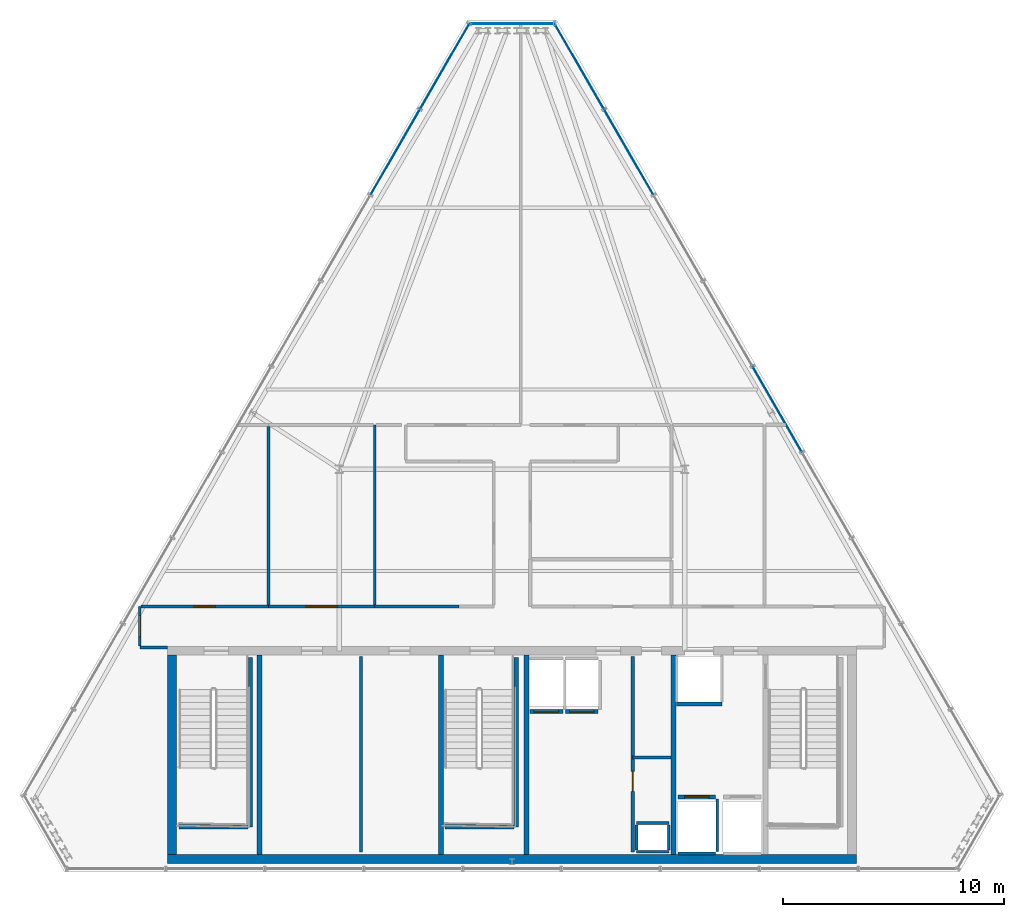
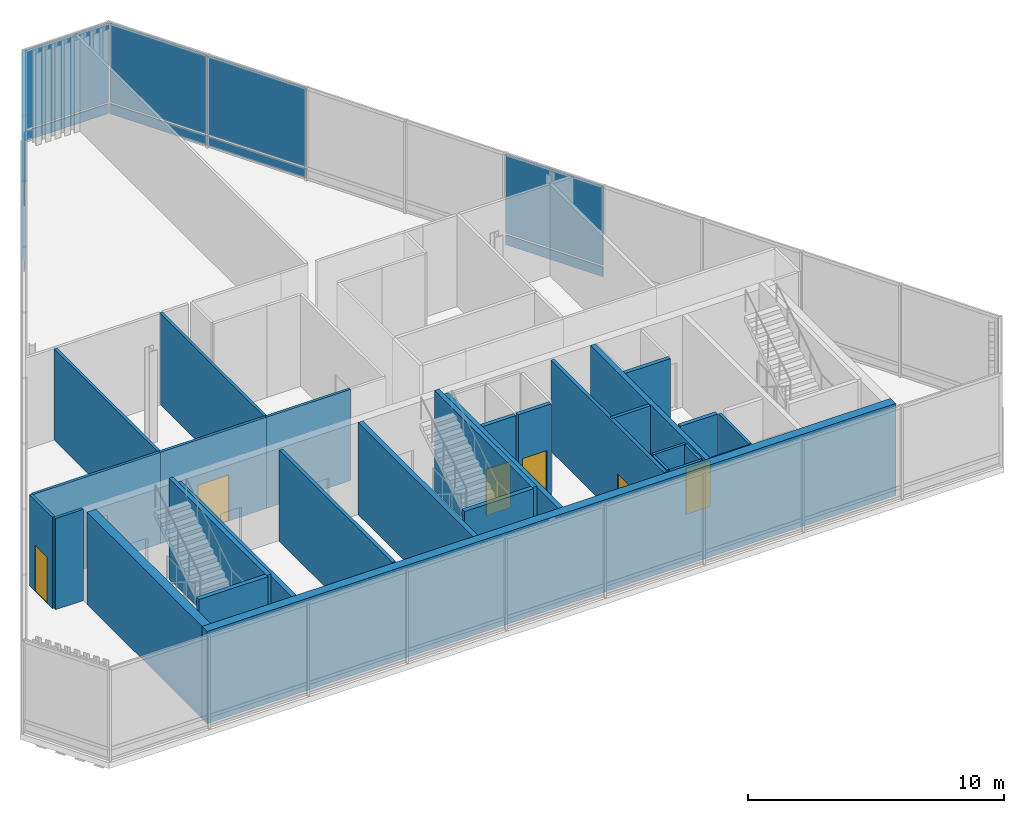
# One storey, part 20 of 25: 30 walls, 12 plates, 7 doors, 7 openings, 3 elements without a shape of their own.
"""IFC4 building model written with IfcOpenShell, lengths in metres."""

from ifc_helpers import new_model, si_unit, direction, frame, frame_2d, origin, origin_2d, place, context, subcontext, project, spatial, rectangle, extrude, material, layer, layer_set, type_object, element, fill, aggregate, save


model = new_model("IFC4")

# Units and contexts
model_context = context("Model", 3, precision=1e-05, world=origin(), true_north=direction((0.0, 1.0)))
body_context = subcontext(model_context, "Body", "Model", "MODEL_VIEW")
ifc_project = project(units=[si_unit("LENGTHUNIT", "METRE"), si_unit("AREAUNIT", "SQUARE_METRE"), si_unit("VOLUMEUNIT", "CUBIC_METRE"), si_unit("PLANEANGLEUNIT", "RADIAN"), si_unit("MASSUNIT", "GRAM", prefix="KILO")], contexts=[model_context])

# Site, building, storey
site_placement = place(None, origin())
site = spatial("IfcSite", under=ifc_project, at=site_placement, CompositionType="ELEMENT")
building_placement = place(site_placement, origin())
building = spatial("IfcBuilding", under=site, at=building_placement, Name="Ndaravel Arena Tower", CompositionType="ELEMENT")
storey_placement = place(building_placement, frame((0.0, 0.0, 303.300048828125)))
storey = spatial("IfcBuildingStorey", under=building, at=storey_placement, Name="L74", CompositionType="ELEMENT", Elevation=303.300048828125)

# Curtain wall, plates
ifc_material_1 = material(Name="Aluminium", Category="aluminium")
ifc_layer_1 = layer(ifc_material_1, 0.179931640625)
ifc_layer_set_1 = layer_set([ifc_layer_1], Name="Aluminium")
curtain_wall_type = type_object("IfcCurtainWallType", Name="CW-SYS-04", PredefinedType="NOTDEFINED", material=ifc_layer_set_1)
curtain_wall_1_placement = place(storey_placement, origin())
curtain_wall_1 = element("IfcCurtainWall", 1, at=curtain_wall_1_placement, inside=storey, type_object=curtain_wall_type, Name="L74 Faceted Crystal Curtain Wall CW-L74-E03", PredefinedType="NOTDEFINED")
ifc_material_2 = material(Name="Glazing", Category="glass")
ifc_layer_2 = layer(ifc_material_2, 0.0400390625)
ifc_layer_set_2 = layer_set([ifc_layer_2], Name="Glazing")
plate_type_1 = type_object("IfcPlateType", Name="PLT-GLZ-LOWIRON", PredefinedType="CURTAIN_PANEL", material=ifc_layer_set_2)
plate_1_placement = place(storey_placement, frame((53.977294921875, 25.9052734375, 0.58984375), z_axis=(0.0, 0.0, 1.0), x_axis=(-0.5, 0.866025403784, 0.0)))
plate_1 = element("IfcPlate", 2, at=plate_1_placement, type_object=plate_type_1, Name="CW-L74-E03 Vision Glass Panel 05", PredefinedType="CURTAIN_PANEL", context=body_context, shape_type="SweptSolid", body=[
    extrude(rectangle(XDim=4.389892578125, YDim=0.035888671875, at=origin_2d()), origin(), (0.0, 0.0, 1.0), 3.77001953125),
])
plate_2_placement = place(storey_placement, frame((47.272216796875, 37.518798828125, 0.58984375), z_axis=(0.0, 0.0, 1.0), x_axis=(-0.5, 0.866025403784, 0.0)))
plate_2 = element("IfcPlate", 3, at=plate_2_placement, type_object=plate_type_1, Name="CW-L74-E03 Vision Glass Panel 08", PredefinedType="CURTAIN_PANEL", context=body_context, shape_type="SweptSolid", body=[
    extrude(rectangle(XDim=4.389892578125, YDim=0.035888671875, at=origin_2d()), origin(), (0.0, 0.0, 1.0), 3.77001953125),
])
plate_3_placement = place(storey_placement, frame((45.037353515625, 41.389892578125, 0.58984375), z_axis=(0.0, 0.0, 1.0), x_axis=(-0.5, 0.866025403784, 0.0)))
plate_3 = element("IfcPlate", 4, at=plate_3_placement, type_object=plate_type_1, Name="CW-L74-E03 Vision Glass Panel 09", PredefinedType="CURTAIN_PANEL", context=body_context, shape_type="SweptSolid", body=[
    extrude(rectangle(XDim=4.389892578125, YDim=0.035888671875, at=origin_2d()), origin(), (0.0, 0.0, 1.0), 3.77001953125),
])

# Curtain wall, plate
curtain_wall_2_placement = place(storey_placement, origin())
curtain_wall_2 = element("IfcCurtainWall", 5, at=curtain_wall_2_placement, inside=storey, type_object=curtain_wall_type, Name="L74 Faceted Crystal Curtain Wall CW-L74-E04", PredefinedType="NOTDEFINED")
plate_4_placement = place(storey_placement, frame((42.0, 43.325439453125, 0.58984375), z_axis=(0.0, 0.0, 1.0), x_axis=(-1.0, 0.0, 0.0)))
plate_4 = element("IfcPlate", 6, at=plate_4_placement, type_object=plate_type_1, Name="CW-L74-E04 Vision Glass Panel 01", PredefinedType="CURTAIN_PANEL", context=body_context, shape_type="SweptSolid", body=[
    extrude(rectangle(XDim=3.759521484375, YDim=0.035888671875, at=origin_2d()), origin(), (0.0, 0.0, 1.0), 3.77001953125),
])

# Curtain wall, plates
curtain_wall_3_placement = place(storey_placement, origin())
curtain_wall_3 = element("IfcCurtainWall", 7, at=curtain_wall_3_placement, inside=storey, type_object=curtain_wall_type, Name="L74 Faceted Crystal Curtain Wall CW-L74-E05", PredefinedType="NOTDEFINED")
plate_5_placement = place(storey_placement, frame((38.962646484375, 41.389892578125, 0.58984375), z_axis=(0.0, 0.0, 1.0), x_axis=(-0.5, -0.866025403784, 0.0)))
plate_5 = element("IfcPlate", 8, at=plate_5_placement, type_object=plate_type_1, Name="CW-L74-E05 Vision Glass Panel 01", PredefinedType="CURTAIN_PANEL", context=body_context, shape_type="SweptSolid", body=[
    extrude(rectangle(XDim=4.389892578125, YDim=0.035888671875, at=origin_2d()), origin(), (0.0, 0.0, 1.0), 3.77001953125),
])
plate_6_placement = place(storey_placement, frame((36.727783203125, 37.518798828125, 0.58984375), z_axis=(0.0, 0.0, 1.0), x_axis=(-0.5, -0.866025403784, 0.0)))
plate_6 = element("IfcPlate", 9, at=plate_6_placement, type_object=plate_type_1, Name="CW-L74-E05 Vision Glass Panel 02", PredefinedType="CURTAIN_PANEL", context=body_context, shape_type="SweptSolid", body=[
    extrude(rectangle(XDim=4.389892578125, YDim=0.035888671875, at=origin_2d()), origin(), (0.0, 0.0, 1.0), 3.77001953125),
])

# Plate
ifc_material_3 = material(Name="Aluminium", Category="aluminium")
ifc_layer_3 = layer(ifc_material_3, 0.044921875)
ifc_layer_set_3 = layer_set([ifc_layer_3], Name="Aluminium")
plate_type_2 = type_object("IfcPlateType", Name="PLT-SPANDREL-ALU", PredefinedType="SHEET", material=ifc_layer_set_3)
plate_7_placement = place(storey_placement, frame((53.977294921875, 25.9052734375, 0.0400390625), z_axis=(0.0, 0.0, 1.0), x_axis=(-0.5, 0.866025403784, 0.0)))
plate_7 = element("IfcPlate", 10, at=plate_7_placement, type_object=plate_type_2, Name="CW-L74-E03 Spandrel Panel 05", PredefinedType="SHEET", context=body_context, shape_type="SweptSolid", body=[
    extrude(rectangle(XDim=4.389892578125, YDim=0.044921875, at=origin_2d()), origin(), (0.0, 0.0, 1.0), 0.469970703125),
])

plate_8_placement = place(storey_placement, frame((47.272216796875, 37.518798828125, 0.0400390625), z_axis=(0.0, 0.0, 1.0), x_axis=(-0.5, 0.866025403784, 0.0)))
plate_8 = element("IfcPlate", 11, at=plate_8_placement, type_object=plate_type_2, Name="CW-L74-E03 Spandrel Panel 08", PredefinedType="SHEET", context=body_context, shape_type="SweptSolid", body=[
    extrude(rectangle(XDim=4.389892578125, YDim=0.044921875, at=origin_2d()), origin(), (0.0, 0.0, 1.0), 0.469970703125),
])

plate_9_placement = place(storey_placement, frame((45.037353515625, 41.389892578125, 0.0400390625), z_axis=(0.0, 0.0, 1.0), x_axis=(-0.5, 0.866025403784, 0.0)))
plate_9 = element("IfcPlate", 12, at=plate_9_placement, type_object=plate_type_2, Name="CW-L74-E03 Spandrel Panel 09", PredefinedType="SHEET", context=body_context, shape_type="SweptSolid", body=[
    extrude(rectangle(XDim=4.389892578125, YDim=0.044921875, at=origin_2d()), origin(), (0.0, 0.0, 1.0), 0.469970703125),
])

aggregate(curtain_wall_1, [plate_7, plate_1, plate_8, plate_2, plate_9, plate_3])

plate_10_placement = place(storey_placement, frame((42.0, 43.325439453125, 0.0400390625), z_axis=(0.0, 0.0, 1.0), x_axis=(-1.0, 0.0, 0.0)))
plate_10 = element("IfcPlate", 13, at=plate_10_placement, type_object=plate_type_2, Name="CW-L74-E04 Spandrel Panel 01", PredefinedType="SHEET", context=body_context, shape_type="SweptSolid", body=[
    extrude(rectangle(XDim=3.759521484375, YDim=0.044921875, at=origin_2d()), origin(), (0.0, 0.0, 1.0), 0.469970703125),
])

aggregate(curtain_wall_2, [plate_10, plate_4])

plate_11_placement = place(storey_placement, frame((38.962646484375, 41.389892578125, 0.0400390625), z_axis=(0.0, 0.0, 1.0), x_axis=(-0.5, -0.866025403784, 0.0)))
plate_11 = element("IfcPlate", 14, at=plate_11_placement, type_object=plate_type_2, Name="CW-L74-E05 Spandrel Panel 01", PredefinedType="SHEET", context=body_context, shape_type="SweptSolid", body=[
    extrude(rectangle(XDim=4.389892578125, YDim=0.044921875, at=origin_2d()), origin(), (0.0, 0.0, 1.0), 0.469970703125),
])

plate_12_placement = place(storey_placement, frame((36.727783203125, 37.518798828125, 0.0400390625), z_axis=(0.0, 0.0, 1.0), x_axis=(-0.5, -0.866025403784, 0.0)))
plate_12 = element("IfcPlate", 15, at=plate_12_placement, type_object=plate_type_2, Name="CW-L74-E05 Spandrel Panel 02", PredefinedType="SHEET", context=body_context, shape_type="SweptSolid", body=[
    extrude(rectangle(XDim=4.389892578125, YDim=0.044921875, at=origin_2d()), origin(), (0.0, 0.0, 1.0), 0.469970703125),
])

aggregate(curtain_wall_3, [plate_11, plate_5, plate_12, plate_6])

# Wall, opening, door
ifc_material_4 = material(Name="Gypsum", Category="gypsum")
ifc_layer_4 = layer(ifc_material_4, 0.14990234375)
ifc_layer_set_4 = layer_set([ifc_layer_4], Name="Gypsum")
wall_type_1 = type_object("IfcWallType", Name="WALL-COMP-150", PredefinedType="PARTITIONING", material=ifc_layer_set_4)
wall_1_placement = place(storey_placement, frame((47.449951171875, 5.89990234375, 0.0), z_axis=(0.0, 0.0, 1.0), x_axis=(0.0, 1.0, 0.0)))
wall_1 = element("IfcWall", 16, at=wall_1_placement, inside=storey, type_object=wall_type_1, Name="L74 Core Riser Bay Partition", PredefinedType="PARTITIONING", context=body_context, shape_type="SweptSolid", body=[
    extrude(rectangle(XDim=8.85009765625, YDim=0.14990234375, at=frame_2d((4.425048828125, 0.0))), origin(), (0.0, 0.0, 1.0), 4.35986328125),
])
opening_1_placement = place(wall_1_placement, frame((2.75, 0.0, 0.0)))
opening_1 = element("IfcOpeningElement", 17, at=opening_1_placement, cuts=wall_1, Name="Opening RD-01", PredefinedType="OPENING", context=body_context, shape_type="SweptSolid", body=[
    extrude(rectangle(XDim=0.89990234375, YDim=2.10009765625, at=frame_2d((0.449951171875, 1.050048828125))), frame((0.0, 0.074951171875, 0.0), z_axis=(0.0, -1.0, 0.0), x_axis=(1.0, 0.0, 0.0)), (0.0, 0.0, 1.0), 0.14990234375),
])
ifc_material_5 = material(Name="Steel S355", Category="steel")
door_type_1 = type_object("IfcDoorType", Name="DT-08-RISER-900", OperationType="SINGLE_SWING_LEFT", PredefinedType="DOOR", material=ifc_material_5)
door_1_placement = place(opening_1_placement, origin())
door_1 = element("IfcDoor", 18, at=door_1_placement, inside=storey, type_object=door_type_1, Name="L74 Electrical Riser Door", OperationType="SINGLE_SWING_RIGHT", OverallHeight=2.10009765625, OverallWidth=0.89990234375, PredefinedType="DOOR", context=body_context, shape_type="SweptSolid", body=[
    extrude(rectangle(XDim=0.89990234375, YDim=2.10009765625, at=frame_2d((0.449951171875, 1.050048828125))), frame((0.0, 0.02490234375, 0.0), z_axis=(0.0, -1.0, 0.0), x_axis=(1.0, 0.0, 0.0)), (0.0, 0.0, 1.0), 0.050048828125),
])
fill(opening_1, door_1)

# Walls
wall_2_placement = place(storey_placement, frame((47.449951171875, 10.179931640625, 0.0), z_axis=(0.0, 0.0, 1.0), x_axis=(1.0, 0.0, 0.0)))
element("IfcWall", 19, at=wall_2_placement, inside=storey, type_object=wall_type_1, Name="L74 Core Riser Divider 1", PredefinedType="PARTITIONING", context=body_context, shape_type="SweptSolid", body=[
    extrude(rectangle(XDim=1.72998046875, YDim=0.14990234375, at=frame_2d((0.864990234375, 0.0))), origin(), (0.0, 0.0, 1.0), 4.35986328125),
])
wall_3_placement = place(storey_placement, frame((35.179931640625, 5.89990234375, 0.0), z_axis=(0.0, 0.0, 1.0), x_axis=(0.0, 1.0, 0.0)))
element("IfcWall", 20, at=wall_3_placement, inside=storey, type_object=wall_type_1, Name="L74 High-Zone Core Divider 1", PredefinedType="PARTITIONING", context=body_context, shape_type="SweptSolid", body=[
    extrude(rectangle(XDim=8.85009765625, YDim=0.14990234375, at=frame_2d((4.425048828125, 0.0))), origin(), (0.0, 0.0, 1.0), 4.35986328125),
])
ifc_material_6 = material(Name="Concrete C50/60", Category="concrete")
ifc_layer_5 = layer(ifc_material_6, 0.219970703125)
ifc_layer_set_5 = layer_set([ifc_layer_5], Name="Concrete C50/60")
wall_type_2 = type_object("IfcWallType", Name="WALL-CORE-220", PredefinedType="SOLIDWALL", material=ifc_layer_set_5)
for number, where, z_axis, x_axis, name in (
    (21, (30.60009765625, 5.800048828125, 0.0), (0.0, 0.0, 1.0), (0.0, 1.0, 0.0), "L74 Core Web Shear Wall 1"),
    (22, (38.800048828125, 5.800048828125, 0.0), (0.0, 0.0, 1.0), (0.0, 1.0, 0.0), "L74 Core Web Shear Wall 2"),
    (23, (42.64990234375, 5.800048828125, 0.0), (0.0, 0.0, 1.0), (0.0, 1.0, 0.0), "L74 Core Web Shear Wall 3"),
    (24, (49.300048828125, 5.800048828125, 0.0), (0.0, 0.0, 1.0), (0.0, 1.0, 0.0), "L74 Core Web Shear Wall 4"),
):
    element("IfcWall", number, at=place(storey_placement, frame(where, z_axis=z_axis, x_axis=x_axis)), inside=storey, type_object=wall_type_2, Name=name, PredefinedType="SOLIDWALL", context=body_context, shape_type="SweptSolid", body=[
        extrude(rectangle(XDim=9.0, YDim=0.219970703125, at=frame_2d((4.5, 0.0))), origin(), (0.0, 0.0, 1.0), 4.39990234375),
    ])
ifc_material_7 = material(Name="Concrete C50/60", Category="concrete")
ifc_layer_6 = layer(ifc_material_7, 0.39990234375)
ifc_layer_set_6 = layer_set([ifc_layer_6], Name="Concrete C50/60")
wall_type_3 = type_object("IfcWallType", Name="WALL-CORE-400", PredefinedType="SOLIDWALL", material=ifc_layer_set_6)
wall_4_placement = place(storey_placement, frame((26.449951171875, 5.60009765625, 0.0), z_axis=(0.0, 0.0, 1.0), x_axis=(1.0, 0.0, 0.0)))
element("IfcWall", 25, at=wall_4_placement, inside=storey, type_object=wall_type_3, Name="L74 Core South Shear Wall", PredefinedType="SOLIDWALL", context=body_context, shape_type="SweptSolid", body=[
    extrude(rectangle(XDim=31.10009765625, YDim=0.39990234375, at=frame_2d((15.550048828125, 0.0))), origin(), (0.0, 0.0, 1.0), 4.39990234375),
])
wall_5_placement = place(storey_placement, frame((26.64990234375, 5.800048828125, 0.0), z_axis=(0.0, 0.0, 1.0), x_axis=(0.0, 1.0, 0.0)))
element("IfcWall", 26, at=wall_5_placement, inside=storey, type_object=wall_type_3, Name="L74 Core West Shear Wall", PredefinedType="SOLIDWALL", context=body_context, shape_type="SweptSolid", body=[
    extrude(rectangle(XDim=9.0, YDim=0.39990234375, at=frame_2d((4.5, 0.0))), origin(), (0.0, 0.0, 1.0), 4.39990234375),
])
ifc_material_8 = material(Name="Gypsum", Category="gypsum")
ifc_layer_7 = layer(ifc_material_8, 0.125)
ifc_layer_set_7 = layer_set([ifc_layer_7], Name="Gypsum")
wall_type_4 = type_object("IfcWallType", Name="WALL-PART-125", PredefinedType="PARTITIONING", material=ifc_layer_set_7)
wall_6_placement = place(storey_placement, frame((26.449951171875, 15.14990234375, 0.0), z_axis=(0.0, 0.0, 1.0), x_axis=(-1.0, 0.0, 0.0)))
element("IfcWall", 27, at=wall_6_placement, inside=storey, type_object=wall_type_4, Name="L74 Interior Partition 003", PredefinedType="PARTITIONING", context=body_context, shape_type="SweptSolid", body=[
    extrude(rectangle(XDim=1.259033203125, YDim=0.125, at=frame_2d((0.62939453125, 0.0))), origin(), (0.0, 0.0, 1.0), 4.35986328125),
])

# Wall, opening, door
wall_7_placement = place(storey_placement, frame((25.19091796875, 15.215087890625, 0.0), z_axis=(0.0, 0.0, 1.0), x_axis=(0.0, 1.0, 0.0)))
wall_7 = element("IfcWall", 28, at=wall_7_placement, inside=storey, type_object=wall_type_4, Name="L74 Interior Partition 004", PredefinedType="PARTITIONING", context=body_context, shape_type="SweptSolid", body=[
    extrude(rectangle(XDim=1.784912109375, YDim=0.125, at=frame_2d((0.892578125, 0.0))), origin(), (0.0, 0.0, 1.0), 4.35986328125),
])
opening_2_placement = place(wall_7_placement, frame((0.41748046875, 0.0, 0.0)))
opening_2 = element("IfcOpeningElement", 29, at=opening_2_placement, cuts=wall_7, Name="Opening ID-01", PredefinedType="OPENING", context=body_context, shape_type="SweptSolid", body=[
    extrude(rectangle(XDim=0.949951171875, YDim=2.199951171875, at=frame_2d((0.47509765625, 1.10009765625))), frame((0.0, 0.0625, 0.0), z_axis=(0.0, -1.0, 0.0), x_axis=(1.0, 0.0, 0.0)), (0.0, 0.0, 1.0), 0.125),
])
ifc_material_9 = material(Name="Timber", Category="wood")
door_type_2 = type_object("IfcDoorType", Name="DT-03-OFFICE-950", OperationType="SINGLE_SWING_LEFT", PredefinedType="DOOR", material=ifc_material_9)
door_2_placement = place(opening_2_placement, origin())
door_2 = element("IfcDoor", 30, at=door_2_placement, inside=storey, type_object=door_type_2, Name="L74 Summit Panoramic Viewing Gallery Door", OperationType="SINGLE_SWING_LEFT", OverallHeight=2.199951171875, OverallWidth=0.949951171875, PredefinedType="DOOR", context=body_context, shape_type="SweptSolid", body=[
    extrude(rectangle(XDim=0.949951171875, YDim=2.199951171875, at=frame_2d((0.47509765625, 1.10009765625))), frame((0.0, 0.02490234375, 0.0), z_axis=(0.0, -1.0, 0.0), x_axis=(1.0, 0.0, 0.0)), (0.0, 0.0, 1.0), 0.050048828125),
])
fill(opening_2, door_2)

wall_8_placement = place(storey_placement, frame((25.256103515625, 17.0, 0.0), z_axis=(0.0, 0.0, 1.0), x_axis=(1.0, 0.0, 0.0)))
wall_8 = element("IfcWall", 31, at=wall_8_placement, inside=storey, type_object=wall_type_4, Name="L74 Interior Partition 005", PredefinedType="PARTITIONING", context=body_context, shape_type="SweptSolid", body=[
    extrude(rectangle(XDim=5.743896484375, YDim=0.125, at=frame_2d((2.8720703125, 0.0))), origin(), (0.0, 0.0, 1.0), 4.35986328125),
])
opening_3_placement = place(wall_8_placement, frame((2.39697265625, 0.0, 0.0)))
opening_3 = element("IfcOpeningElement", 32, at=opening_3_placement, cuts=wall_8, Name="Opening ID-01", PredefinedType="OPENING", context=body_context, shape_type="SweptSolid", body=[
    extrude(rectangle(XDim=0.949951171875, YDim=2.199951171875, at=frame_2d((0.47509765625, 1.10009765625))), frame((0.0, 0.0625, 0.0), z_axis=(0.0, -1.0, 0.0), x_axis=(1.0, 0.0, 0.0)), (0.0, 0.0, 1.0), 0.125),
])
door_3_placement = place(opening_3_placement, origin())
door_3 = element("IfcDoor", 33, at=door_3_placement, inside=storey, type_object=door_type_2, Name="L74 Summit Observation Concierge Salon Door", OperationType="SINGLE_SWING_LEFT", OverallHeight=2.199951171875, OverallWidth=0.949951171875, PredefinedType="DOOR", context=body_context, shape_type="SweptSolid", body=[
    extrude(rectangle(XDim=0.949951171875, YDim=2.199951171875, at=frame_2d((0.47509765625, 1.10009765625))), frame((0.0, 0.02490234375, 0.0), z_axis=(0.0, -1.0, 0.0), x_axis=(1.0, 0.0, 0.0)), (0.0, 0.0, 1.0), 0.050048828125),
])
fill(opening_3, door_3)

wall_9_placement = place(storey_placement, frame((31.0, 17.0, 0.0), z_axis=(0.0, 0.0, 1.0), x_axis=(1.0, 0.0, 0.0)))
wall_9 = element("IfcWall", 34, at=wall_9_placement, inside=storey, type_object=wall_type_4, Name="L74 Interior Partition 006", PredefinedType="PARTITIONING", context=body_context, shape_type="SweptSolid", body=[
    extrude(rectangle(XDim=4.800048828125, YDim=0.125, at=frame_2d((2.39990234375, 0.0))), origin(), (0.0, 0.0, 1.0), 4.35986328125),
])
opening_4_placement = place(wall_9_placement, frame((1.699951171875, 0.0, 0.0)))
opening_4 = element("IfcOpeningElement", 35, at=opening_4_placement, cuts=wall_9, Name="Opening ID-02", PredefinedType="OPENING", context=body_context, shape_type="SweptSolid", body=[
    extrude(rectangle(XDim=1.39990234375, YDim=2.199951171875, at=frame_2d((0.699951171875, 1.10009765625))), frame((0.0, 0.0625, 0.0), z_axis=(0.0, -1.0, 0.0), x_axis=(1.0, 0.0, 0.0)), (0.0, 0.0, 1.0), 0.125),
])
ifc_material_10 = material(Name="Timber", Category="wood")
door_type_3 = type_object("IfcDoorType", Name="DT-04-SUITE-1400", OperationType="DOUBLE_DOOR_SINGLE_SWING", PredefinedType="DOOR", material=ifc_material_10)
door_4_placement = place(opening_4_placement, origin())
door_4 = element("IfcDoor", 36, at=door_4_placement, inside=storey, type_object=door_type_3, Name="L74 High-Altitude Telescope Gallery 2 Door", OperationType="SINGLE_SWING_LEFT", OverallHeight=2.199951171875, OverallWidth=1.39990234375, PredefinedType="DOOR", context=body_context, shape_type="SweptSolid", body=[
    extrude(rectangle(XDim=1.39990234375, YDim=2.199951171875, at=frame_2d((0.699951171875, 1.10009765625))), frame((0.0, 0.02490234375, 0.0), z_axis=(0.0, -1.0, 0.0), x_axis=(1.0, 0.0, 0.0)), (0.0, 0.0, 1.0), 0.050048828125),
])
fill(opening_4, door_4)

# Walls
wall_10_placement = place(storey_placement, frame((35.800048828125, 17.0, 0.0), z_axis=(0.0, 0.0, 1.0), x_axis=(1.0, 0.0, 0.0)))
element("IfcWall", 37, at=wall_10_placement, inside=storey, type_object=wall_type_4, Name="L74 Interior Partition 007", PredefinedType="PARTITIONING", context=body_context, shape_type="SweptSolid", body=[
    extrude(rectangle(XDim=3.800048828125, YDim=0.125, at=frame_2d((1.89990234375, 0.0))), origin(), (0.0, 0.0, 1.0), 4.35986328125),
])
wall_11_placement = place(storey_placement, frame((31.0, 25.135009765625, 0.0), z_axis=(0.0, 0.0, 1.0), x_axis=(0.0, -1.0, 0.0)))
element("IfcWall", 38, at=wall_11_placement, inside=storey, type_object=wall_type_4, Name="L74 Interior Partition 030", PredefinedType="PARTITIONING", context=body_context, shape_type="SweptSolid", body=[
    extrude(rectangle(XDim=8.070068359375, YDim=0.125, at=frame_2d((4.03515625, 0.0))), origin(), (0.0, 0.0, 1.0), 4.35986328125),
])
wall_12_placement = place(storey_placement, frame((35.800048828125, 17.06494140625, 0.0), z_axis=(0.0, 0.0, 1.0), x_axis=(0.0, 1.0, 0.0)))
element("IfcWall", 39, at=wall_12_placement, inside=storey, type_object=wall_type_4, Name="L74 Interior Partition 031", PredefinedType="PARTITIONING", context=body_context, shape_type="SweptSolid", body=[
    extrude(rectangle(XDim=8.135009765625, YDim=0.125, at=frame_2d((4.0673828125, 0.0))), origin(), (0.0, 0.0, 1.0), 4.35986328125),
])
ifc_material_11 = material(Name="Concrete C40/50", Category="concrete")
ifc_layer_8 = layer(ifc_material_11, 0.1201171875)
ifc_layer_set_8 = layer_set([ifc_layer_8], Name="Concrete C40/50")
wall_type_5 = type_object("IfcWallType", Name="WALL-SHAFT-120", PredefinedType="SOLIDWALL", material=ifc_layer_set_8)
for number, where, z_axis, x_axis, name in (
    (40, (47.6201171875, 5.919921875, 0.0), (0.0, 0.0, 1.0), (1.0, 0.0, 0.0), "L74 MEP Riser Shaft S Wall"),
    (41, (47.6201171875, 7.219970703125, 0.0), (0.0, 0.0, 1.0), (1.0, 0.0, 0.0), "L74 MEP Riser Shaft N Wall"),
):
    element("IfcWall", number, at=place(storey_placement, frame(where, z_axis=z_axis, x_axis=x_axis)), inside=storey, type_object=wall_type_5, Name=name, PredefinedType="SOLIDWALL", context=body_context, shape_type="SweptSolid", body=[
        extrude(rectangle(XDim=1.4599609375, YDim=0.1201171875, at=frame_2d((0.72998046875, 0.0))), origin(), (0.0, 0.0, 1.0), 4.35986328125),
    ])
for number, where, z_axis, x_axis, name in (
    (42, (47.6201171875, 6.0, 0.0), (0.0, 0.0, 1.0), (0.0, 1.0, 0.0), "L74 MEP Riser Shaft W Wall"),
    (43, (49.080078125, 6.0, 0.0), (0.0, 0.0, 1.0), (0.0, 1.0, 0.0), "L74 MEP Riser Shaft E Wall"),
):
    element("IfcWall", number, at=place(storey_placement, frame(where, z_axis=z_axis, x_axis=x_axis)), inside=storey, type_object=wall_type_5, Name=name, PredefinedType="SOLIDWALL", context=body_context, shape_type="SweptSolid", body=[
        extrude(rectangle(XDim=1.139892578125, YDim=0.1201171875, at=frame_2d((0.56982421875, 0.0))), origin(), (0.0, 0.0, 1.0), 4.35986328125),
    ])
wall_13_placement = place(storey_placement, frame((49.5048828125, 5.840087890625, 0.0), z_axis=(0.0, 0.0, 1.0), x_axis=(1.0, 0.0, 0.0)))
element("IfcWall", 44, at=wall_13_placement, inside=storey, type_object=wall_type_5, Name="L74 FFL-1 Shaft Rear Wall", PredefinedType="SOLIDWALL", context=body_context, shape_type="SweptSolid", body=[
    extrude(rectangle(XDim=1.690185546875, YDim=0.1201171875, at=frame_2d((0.84521484375, 0.0))), origin(), (0.0, 0.0, 1.0), 4.35986328125),
])
wall_14_placement = place(storey_placement, frame((51.27490234375, 5.929931640625, 0.0), z_axis=(0.0, 0.0, 1.0), x_axis=(0.0, 1.0, 0.0)))
element("IfcWall", 45, at=wall_14_placement, inside=storey, type_object=wall_type_5, Name="L74 FFL-1 Shaft Side R Wall", PredefinedType="SOLIDWALL", context=body_context, shape_type="SweptSolid", body=[
    extrude(rectangle(XDim=2.380126953125, YDim=0.1201171875, at=frame_2d((1.18994140625, 0.0))), origin(), (0.0, 0.0, 1.0), 4.35986328125),
])
ifc_material_12 = material(Name="Concrete C40/50", Category="concrete")
ifc_layer_9 = layer(ifc_material_12, 0.199951171875)
ifc_layer_set_9 = layer_set([ifc_layer_9], Name="Concrete C40/50")
wall_type_6 = type_object("IfcWallType", Name="WALL-SHAFT-200", PredefinedType="SOLIDWALL", material=ifc_layer_set_9)
wall_15_placement = place(storey_placement, frame((30.18994140625, 14.699951171875, 0.0), z_axis=(0.0, 0.0, 1.0), x_axis=(0.0, -1.0, 0.0)))
element("IfcWall", 46, at=wall_15_placement, inside=storey, type_object=wall_type_6, Name="L74 ST-1 Structural Shaft Wall Right", PredefinedType="SOLIDWALL", context=body_context, shape_type="SweptSolid", body=[
    extrude(rectangle(XDim=7.64990234375, YDim=0.199951171875, at=frame_2d((3.824951171875, 0.0))), origin(), (0.0, 0.0, 1.0), 4.800048828125),
])
wall_16_placement = place(storey_placement, frame((26.969970703125, 7.050048828125, 0.0), z_axis=(0.0, 0.0, 1.0), x_axis=(1.0, 0.0, 0.0)))
element("IfcWall", 47, at=wall_16_placement, inside=storey, type_object=wall_type_6, Name="L74 ST-1 Structural Shaft Wall Far", PredefinedType="SOLIDWALL", context=body_context, shape_type="SweptSolid", body=[
    extrude(rectangle(XDim=3.114990234375, YDim=0.199951171875, at=frame_2d((1.5576171875, 0.0))), origin(), (0.0, 0.0, 1.0), 4.800048828125),
])
wall_17_placement = place(storey_placement, frame((42.18994140625, 14.699951171875, 0.0), z_axis=(0.0, 0.0, 1.0), x_axis=(0.0, -1.0, 0.0)))
element("IfcWall", 48, at=wall_17_placement, inside=storey, type_object=wall_type_6, Name="L74 ST-2 Structural Shaft Wall Right", PredefinedType="SOLIDWALL", context=body_context, shape_type="SweptSolid", body=[
    extrude(rectangle(XDim=7.64990234375, YDim=0.199951171875, at=frame_2d((3.824951171875, 0.0))), origin(), (0.0, 0.0, 1.0), 4.800048828125),
])
wall_18_placement = place(storey_placement, frame((38.969970703125, 7.050048828125, 0.0), z_axis=(0.0, 0.0, 1.0), x_axis=(1.0, 0.0, 0.0)))
element("IfcWall", 49, at=wall_18_placement, inside=storey, type_object=wall_type_6, Name="L74 ST-2 Structural Shaft Wall Far", PredefinedType="SOLIDWALL", context=body_context, shape_type="SweptSolid", body=[
    extrude(rectangle(XDim=3.114990234375, YDim=0.199951171875, at=frame_2d((1.5576171875, 0.0))), origin(), (0.0, 0.0, 1.0), 4.800048828125),
])

# Wall, opening, door
wall_19_placement = place(storey_placement, frame((42.804931640625, 12.25, 0.0), z_axis=(0.0, 0.0, 1.0), x_axis=(1.0, 0.0, 0.0)))
wall_19 = element("IfcWall", 50, at=wall_19_placement, inside=storey, type_object=wall_type_6, Name="L74 PL-OBS1 Shaft Landing Wall", PredefinedType="SOLIDWALL", context=body_context, shape_type="SweptSolid", body=[
    extrude(rectangle(XDim=1.489990234375, YDim=0.179931640625, at=frame_2d((0.7451171875, 0.0))), origin(), (0.0, 0.0, 1.0), 4.35986328125),
])
opening_5_placement = place(wall_19_placement, frame((0.195068359375, 0.0, 0.0)))
opening_5 = element("IfcOpeningElement", 51, at=opening_5_placement, cuts=wall_19, Name="Opening LD-01", PredefinedType="OPENING", context=body_context, shape_type="SweptSolid", body=[
    extrude(rectangle(XDim=1.10009765625, YDim=2.199951171875, at=frame_2d((0.550048828125, 1.10009765625))), frame((0.0, 0.08984375, 0.0), z_axis=(0.0, -1.0, 0.0), x_axis=(1.0, 0.0, 0.0)), (0.0, 0.0, 1.0), 0.179931640625),
])
ifc_material_13 = material(Name="Steel S355", Category="steel")
door_type_4 = type_object("IfcDoorType", Name="DT-06-LIFT-1100", OperationType="SLIDING_TO_LEFT", PredefinedType="DOOR", material=ifc_material_13)
door_5_placement = place(opening_5_placement, origin())
door_5 = element("IfcDoor", 52, at=door_5_placement, inside=storey, type_object=door_type_4, Name="L74 Lift PL-OBS1 Sliding Landing Door", OperationType="SLIDING_TO_LEFT", OverallHeight=2.199951171875, OverallWidth=1.10009765625, PredefinedType="DOOR", context=body_context, shape_type="SweptSolid", body=[
    extrude(rectangle(XDim=1.10009765625, YDim=2.199951171875, at=frame_2d((0.550048828125, 1.10009765625))), frame((0.0, 0.02490234375, 0.0), z_axis=(0.0, -1.0, 0.0), x_axis=(1.0, 0.0, 0.0)), (0.0, 0.0, 1.0), 0.050048828125),
])
fill(opening_5, door_5)

wall_20_placement = place(storey_placement, frame((44.405029296875, 12.25, 0.0), z_axis=(0.0, 0.0, 1.0), x_axis=(1.0, 0.0, 0.0)))
wall_20 = element("IfcWall", 53, at=wall_20_placement, inside=storey, type_object=wall_type_6, Name="L74 PL-OBS2 Shaft Landing Wall", PredefinedType="SOLIDWALL", context=body_context, shape_type="SweptSolid", body=[
    extrude(rectangle(XDim=1.489990234375, YDim=0.179931640625, at=frame_2d((0.7451171875, 0.0))), origin(), (0.0, 0.0, 1.0), 4.35986328125),
])
opening_6_placement = place(wall_20_placement, frame((0.195068359375, 0.0, 0.0)))
opening_6 = element("IfcOpeningElement", 54, at=opening_6_placement, cuts=wall_20, Name="Opening LD-01", PredefinedType="OPENING", context=body_context, shape_type="SweptSolid", body=[
    extrude(rectangle(XDim=1.10009765625, YDim=2.199951171875, at=frame_2d((0.550048828125, 1.10009765625))), frame((0.0, 0.08984375, 0.0), z_axis=(0.0, -1.0, 0.0), x_axis=(1.0, 0.0, 0.0)), (0.0, 0.0, 1.0), 0.179931640625),
])
door_6_placement = place(opening_6_placement, origin())
door_6 = element("IfcDoor", 55, at=door_6_placement, inside=storey, type_object=door_type_4, Name="L74 Lift PL-OBS2 Sliding Landing Door", OperationType="SLIDING_TO_LEFT", OverallHeight=2.199951171875, OverallWidth=1.10009765625, PredefinedType="DOOR", context=body_context, shape_type="SweptSolid", body=[
    extrude(rectangle(XDim=1.10009765625, YDim=2.199951171875, at=frame_2d((0.550048828125, 1.10009765625))), frame((0.0, 0.02490234375, 0.0), z_axis=(0.0, -1.0, 0.0), x_axis=(1.0, 0.0, 0.0)), (0.0, 0.0, 1.0), 0.050048828125),
])
fill(opening_6, door_6)

wall_21_placement = place(storey_placement, frame((49.5048828125, 8.39990234375, 0.0), z_axis=(0.0, 0.0, 1.0), x_axis=(1.0, 0.0, 0.0)))
wall_21 = element("IfcWall", 56, at=wall_21_placement, inside=storey, type_object=wall_type_6, Name="L74 FFL-1 Shaft Landing Wall", PredefinedType="SOLIDWALL", context=body_context, shape_type="SweptSolid", body=[
    extrude(rectangle(XDim=1.690185546875, YDim=0.179931640625, at=frame_2d((0.84521484375, 0.0))), origin(), (0.0, 0.0, 1.0), 4.35986328125),
])
opening_7_placement = place(wall_21_placement, frame((0.294921875, 0.0, 0.0)))
opening_7 = element("IfcOpeningElement", 57, at=opening_7_placement, cuts=wall_21, Name="Opening LD-01", PredefinedType="OPENING", context=body_context, shape_type="SweptSolid", body=[
    extrude(rectangle(XDim=1.10009765625, YDim=2.199951171875, at=frame_2d((0.550048828125, 1.10009765625))), frame((0.0, 0.08984375, 0.0), z_axis=(0.0, -1.0, 0.0), x_axis=(1.0, 0.0, 0.0)), (0.0, 0.0, 1.0), 0.179931640625),
])
door_7_placement = place(opening_7_placement, origin())
door_7 = element("IfcDoor", 58, at=door_7_placement, inside=storey, type_object=door_type_4, Name="L74 Lift FFL-1 Sliding Landing Door", OperationType="SLIDING_TO_LEFT", OverallHeight=2.199951171875, OverallWidth=1.10009765625, PredefinedType="DOOR", context=body_context, shape_type="SweptSolid", body=[
    extrude(rectangle(XDim=1.10009765625, YDim=2.199951171875, at=frame_2d((0.550048828125, 1.10009765625))), frame((0.0, 0.02490234375, 0.0), z_axis=(0.0, -1.0, 0.0), x_axis=(1.0, 0.0, 0.0)), (0.0, 0.0, 1.0), 0.050048828125),
])
fill(opening_7, door_7)

# Wall
wall_22_placement = place(storey_placement, frame((49.43994140625, 12.594970703125, 0.0), z_axis=(0.0, 0.0, 1.0), x_axis=(1.0, 0.0, 0.0)))
element("IfcWall", 59, at=wall_22_placement, inside=storey, type_object=wall_type_6, Name="L74 SVL-1 Shaft South Wall", PredefinedType="SOLIDWALL", context=body_context, shape_type="SweptSolid", body=[
    extrude(rectangle(XDim=2.0400390625, YDim=0.179931640625, at=frame_2d((1.02001953125, 0.0))), origin(), (0.0, 0.0, 1.0), 4.35986328125),
])

save(model, "model.ifc")
